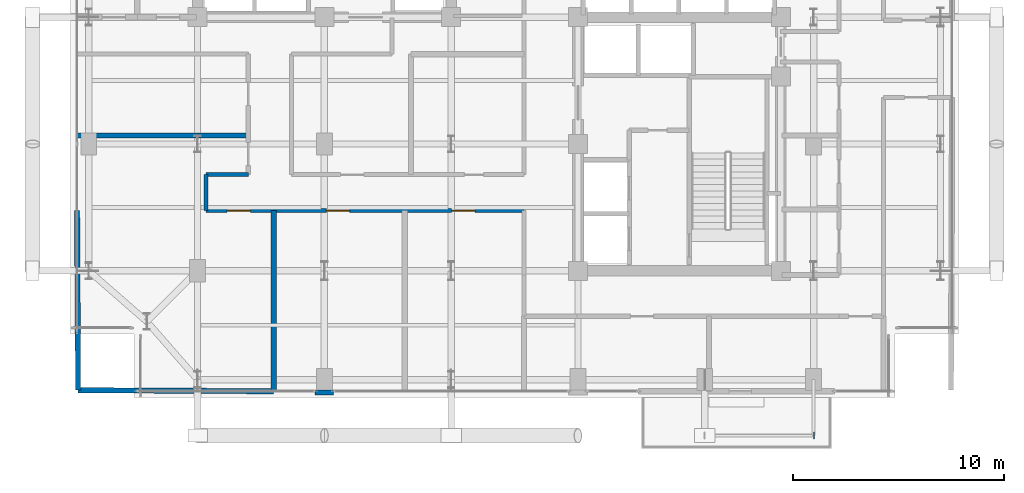
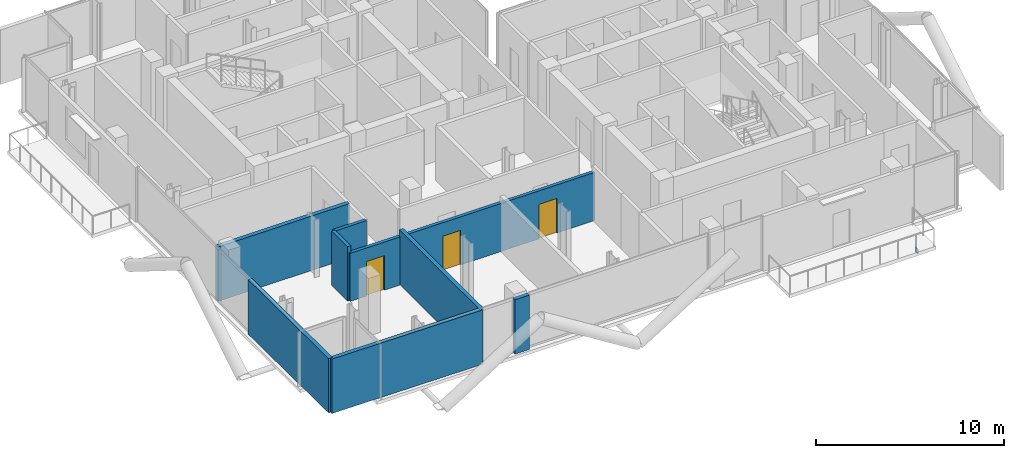
# One storey, part 19 of 26: 8 walls, 3 doors, 1 plate, 3 openings.
"""IFC4 building model written with IfcOpenShell, lengths in metres."""

from ifc_helpers import new_model, si_unit, direction, frame, frame_2d, origin, origin_2d, place, context, subcontext, project, spatial, rectangle, extrude, material, layer, layer_set, type_object, element, fill, save


model = new_model("IFC4")

# Units and contexts
model_context = context("Model", 3, precision=1e-05, world=origin(), true_north=direction((0.0, 1.0)))
body_context = subcontext(model_context, "Body", "Model", "MODEL_VIEW")
ifc_project = project(units=[si_unit("LENGTHUNIT", "METRE"), si_unit("AREAUNIT", "SQUARE_METRE"), si_unit("VOLUMEUNIT", "CUBIC_METRE"), si_unit("PLANEANGLEUNIT", "RADIAN"), si_unit("MASSUNIT", "GRAM", prefix="KILO"), si_unit("THERMODYNAMICTEMPERATUREUNIT", "KELVIN"), si_unit("POWERUNIT", "WATT")], contexts=[model_context])

# Site, building, storey
site_placement = place(None, origin())
site = spatial("IfcSite", under=ifc_project, at=site_placement, CompositionType="ELEMENT")
building_placement = place(site_placement, origin())
building = spatial("IfcBuilding", under=site, at=building_placement, Name="Svarakhadi Broadcast Tower", CompositionType="ELEMENT")
storey_placement = place(building_placement, frame((0.0, 0.0, 180.449951171875)))
storey = spatial("IfcBuildingStorey", under=building, at=storey_placement, Name="L44", CompositionType="ELEMENT", Elevation=180.449951171875)

# Plate
ifc_material_1 = material(Name="Steel S460ML (IS 2062 E450BR)", Category="steel")
ifc_layer_1 = layer(ifc_material_1, 0.028076171875)
ifc_layer_set_1 = layer_set([ifc_layer_1], Name="Steel S460ML (IS 2062 E450BR)")
plate_type = type_object("IfcPlateType", Name="Cap_Plate_CP02", PredefinedType="USERDEFINED", material=ifc_layer_set_1)
plate_placement = place(storey_placement, frame((35.1650390625, -1.800048828125, -0.5048828125), z_axis=(0.0, 0.0, 1.0), x_axis=(1.0, 0.0, 0.0)))
element("IfcPlate", 1, at=plate_placement, inside=storey, type_object=plate_type, Name="L44 Balcony Spandrel End Cap Plate 1F-B", ObjectType="FLANGE_PLATE", PredefinedType="USERDEFINED", context=body_context, shape_type="SweptSolid", body=[
    extrude(rectangle(XDim=0.0400390625, YDim=0.300048828125, at=origin_2d()), origin(), (0.0, 0.0, 1.0), 0.31005859375),
])

# Walls
ifc_material_2 = material(Name="Double-Stud Acoustic Studio Partition STC-62", Category="gypsum")
ifc_layer_2 = layer(ifc_material_2, 0.25)
ifc_layer_set_2 = layer_set([ifc_layer_2], Name="Double-Stud Acoustic Studio Partition STC-62")
wall_type_1 = type_object("IfcWallType", Name="Wall_Acoust_250", PredefinedType="PARTITIONING", material=ifc_layer_set_2)
wall_1_placement = place(storey_placement, frame((0.35009765625, 0.35009765625, 0.0), z_axis=(0.0, 0.0, 1.0), x_axis=(0.99998536257, -0.005410604923, 0.0)))
element("IfcWall", 2, at=wall_1_placement, inside=storey, type_object=wall_type_1, Name="L44 Grand Diplomatic Banquet Dining Hall Wall", PredefinedType="PARTITIONING", context=body_context, shape_type="SweptSolid", body=[
    extrude(rectangle(XDim=9.250244140625, YDim=0.25, at=frame_2d((4.625, 0.0))), origin(), (0.0, 0.0, 1.0), 3.5400390625),
])
wall_2_placement = place(storey_placement, frame((0.35009765625, 0.35009765625, 0.0), z_axis=(0.0, 0.0, 1.0), x_axis=(-0.00588799536, 0.999982665605, 0.0)))
element("IfcWall", 3, at=wall_2_placement, inside=storey, type_object=wall_type_1, Name="L44 Grand Diplomatic Banquet Dining Hall Wall", PredefinedType="PARTITIONING", context=body_context, shape_type="SweptSolid", body=[
    extrude(rectangle(XDim=8.500244140625, YDim=0.25, at=frame_2d((4.25, 0.0))), origin(), (0.0, 0.0, 1.0), 3.5400390625),
])
wall_3_placement = place(storey_placement, frame((9.60009765625, 0.300048828125, 0.0), z_axis=(0.0, 0.0, 1.0), x_axis=(0.0, 1.0, 0.0)))
element("IfcWall", 4, at=wall_3_placement, inside=storey, type_object=wall_type_1, Name="L44 Grand Diplomatic Banquet Dining Hall Wall", PredefinedType="PARTITIONING", context=body_context, shape_type="SweptSolid", body=[
    extrude(rectangle(XDim=8.550048828125, YDim=0.25, at=frame_2d((4.27490234375, 0.0))), origin(), (0.0, 0.0, 1.0), 3.5400390625),
])
wall_4_placement = place(storey_placement, frame((0.300048828125, 12.39990234375, 0.0), z_axis=(0.0, 0.0, 1.0), x_axis=(1.0, 0.0, 0.0)))
element("IfcWall", 5, at=wall_4_placement, inside=storey, type_object=wall_type_1, Name="L44 Club Floor Pantry Kitchen Wall", PredefinedType="PARTITIONING", context=body_context, shape_type="SweptSolid", body=[
    extrude(rectangle(XDim=8.099853515625, YDim=0.25, at=frame_2d((4.0498046875, 0.0))), origin(), (0.0, 0.0, 1.0), 3.5400390625),
])
ifc_material_3 = material(Name="Concrete C40/50 (IS 456 M50)", Category="concrete")
ifc_layer_3 = layer(ifc_material_3, 0.239990234375)
ifc_layer_set_3 = layer_set([ifc_layer_3], Name="Concrete C40/50 (IS 456 M50)")
wall_type_2 = type_object("IfcWallType", Name="Wall_Ext_240", PredefinedType="SOLIDWALL", material=ifc_layer_set_3)
wall_5_placement = place(storey_placement, frame((12.43994140625, 0.239990234375, 0.0), z_axis=(0.0, 0.0, 1.0), x_axis=(-1.0, 0.0, 0.0)))
element("IfcWall", 6, at=wall_5_placement, inside=storey, type_object=wall_type_2, Name="L44 Perimeter Bronze Spandrel Closure Wall 04", PredefinedType="SOLIDWALL", context=body_context, shape_type="SweptSolid", body=[
    extrude(rectangle(XDim=0.8798828125, YDim=0.239990234375, at=frame_2d((0.43994140625, 0.0))), origin(), (0.0, 0.0, 1.0), 3.5400390625),
])

# Wall, openings, doors
ifc_layer_4 = layer(ifc_material_3, 0.199951171875)
ifc_layer_set_4 = layer_set([ifc_layer_4], Name="Concrete C40/50 (IS 456 M50)")
wall_type_3 = type_object("IfcWallType", Name="Wall_Fire_200", PredefinedType="SOLIDWALL", material=ifc_layer_set_4)
wall_6_placement = place(storey_placement, frame((21.449951171875, 8.85009765625, 0.0), z_axis=(0.0, 0.0, 1.0), x_axis=(-1.0, 0.0, 0.0)))
wall_6 = element("IfcWall", 7, at=wall_6_placement, inside=storey, type_object=wall_type_3, Name="L44 Zone 2/3 Corridor Wall", PredefinedType="SOLIDWALL", context=body_context, shape_type="SweptSolid", body=[
    extrude(rectangle(XDim=15.050048828125, YDim=0.199951171875, at=frame_2d((7.52490234375, 0.0))), origin(), (0.0, 0.0, 1.0), 3.132080078125),
])
opening_1_placement = place(wall_6_placement, frame((12.949951171875, 0.0, 0.0)))
opening_1 = element("IfcOpeningElement", 8, at=opening_1_placement, cuts=wall_6, Name="Opening D-10", PredefinedType="OPENING", context=body_context, shape_type="SweptSolid", body=[
    extrude(rectangle(XDim=1.10009765625, YDim=2.25, at=frame_2d((0.550048828125, 1.125))), frame((0.0, 0.10986328125, 0.0), z_axis=(0.0, -1.0, 0.0), x_axis=(1.0, 0.0, 0.0)), (0.0, 0.0, 1.0), 0.219970703125),
])
opening_2_placement = place(wall_6_placement, frame((8.25, 0.0, 0.0)))
opening_2 = element("IfcOpeningElement", 9, at=opening_2_placement, cuts=wall_6, Name="Opening D-11", PredefinedType="OPENING", context=body_context, shape_type="SweptSolid", body=[
    extrude(rectangle(XDim=1.10009765625, YDim=2.25, at=frame_2d((0.550048828125, 1.125))), frame((0.0, 0.10986328125, 0.0), z_axis=(0.0, -1.0, 0.0), x_axis=(1.0, 0.0, 0.0)), (0.0, 0.0, 1.0), 0.219970703125),
])
opening_3_placement = place(wall_6_placement, frame((2.324951171875, 0.0, 0.0)))
opening_3 = element("IfcOpeningElement", 10, at=opening_3_placement, cuts=wall_6, Name="Opening D-10", PredefinedType="OPENING", context=body_context, shape_type="SweptSolid", body=[
    extrude(rectangle(XDim=1.10009765625, YDim=2.25, at=frame_2d((0.550048828125, 1.125))), frame((0.0, 0.10986328125, 0.0), z_axis=(0.0, -1.0, 0.0), x_axis=(1.0, 0.0, 0.0)), (0.0, 0.0, 1.0), 0.219970703125),
])
ifc_material_4 = material(Name="Solid-Core Teak Veneer Acoustic Timber Leaf", Category="wood")
door_type_1 = type_object("IfcDoorType", Name="Door_Acoust_D10", OperationType="SINGLE_SWING_LEFT", PredefinedType="DOOR", material=ifc_material_4)
door_1_placement = place(opening_1_placement, origin())
door_1 = element("IfcDoor", 11, at=door_1_placement, inside=storey, type_object=door_type_1, Name="L44 Grand Diplomatic Banquet Dining Hall Door", OperationType="SINGLE_SWING_LEFT", OverallHeight=2.25, OverallWidth=1.10009765625, PredefinedType="DOOR", context=body_context, shape_type="SweptSolid", body=[
    extrude(rectangle(XDim=1.10009765625, YDim=2.25, at=frame_2d((0.550048828125, 1.125))), frame((0.0, 0.02490234375, 0.0), z_axis=(0.0, -1.0, 0.0), x_axis=(1.0, 0.0, 0.0)), (0.0, 0.0, 1.0), 0.050048828125),
])
fill(opening_1, door_1)
door_2_placement = place(opening_3_placement, origin())
door_2 = element("IfcDoor", 12, at=door_2_placement, inside=storey, type_object=door_type_1, Name="L44 Banquet Culinary Kitchen Door", OperationType="SINGLE_SWING_LEFT", OverallHeight=2.25, OverallWidth=1.10009765625, PredefinedType="DOOR", context=body_context, shape_type="SweptSolid", body=[
    extrude(rectangle(XDim=1.10009765625, YDim=2.25, at=frame_2d((0.550048828125, 1.125))), frame((0.0, 0.02490234375, 0.0), z_axis=(0.0, -1.0, 0.0), x_axis=(1.0, 0.0, 0.0)), (0.0, 0.0, 1.0), 0.050048828125),
])
fill(opening_3, door_2)
door_type_2 = type_object("IfcDoorType", Name="Door_Acoust_D11", OperationType="SINGLE_SWING_RIGHT", PredefinedType="DOOR", material=ifc_material_4)
door_3_placement = place(opening_2_placement, origin())
door_3 = element("IfcDoor", 13, at=door_3_placement, inside=storey, type_object=door_type_2, Name="L44 Hotel Diplomatic Boardroom Door", OperationType="SINGLE_SWING_RIGHT", OverallHeight=2.25, OverallWidth=1.10009765625, PredefinedType="DOOR", context=body_context, shape_type="SweptSolid", body=[
    extrude(rectangle(XDim=1.10009765625, YDim=2.25, at=frame_2d((0.550048828125, 1.125))), frame((0.0, 0.02490234375, 0.0), z_axis=(0.0, -1.0, 0.0), x_axis=(1.0, 0.0, 0.0)), (0.0, 0.0, 1.0), 0.050048828125),
])
fill(opening_2, door_3)

# Walls
wall_7_placement = place(storey_placement, frame((6.39990234375, 8.85009765625, 0.0), z_axis=(0.0, 0.0, 1.0), x_axis=(0.0, 1.0, 0.0)))
element("IfcWall", 14, at=wall_7_placement, inside=storey, type_object=wall_type_3, Name="L44 Zone 2/3 Corridor Wall", PredefinedType="SOLIDWALL", context=body_context, shape_type="SweptSolid", body=[
    extrude(rectangle(XDim=1.699951171875, YDim=0.199951171875, at=frame_2d((0.85009765625, 0.0))), origin(), (0.0, 0.0, 1.0), 3.5400390625),
])
wall_8_placement = place(storey_placement, frame((6.39990234375, 10.550048828125, 0.0), z_axis=(0.0, 0.0, 1.0), x_axis=(1.0, 0.0, 0.0)))
element("IfcWall", 15, at=wall_8_placement, inside=storey, type_object=wall_type_3, Name="L44 Zone 2/3 Corridor Wall", PredefinedType="SOLIDWALL", context=body_context, shape_type="SweptSolid", body=[
    extrude(rectangle(XDim=2.0, YDim=0.199951171875, at=frame_2d((1.0, 0.0))), origin(), (0.0, 0.0, 1.0), 3.5400390625),
])

save(model, "model.ifc")
